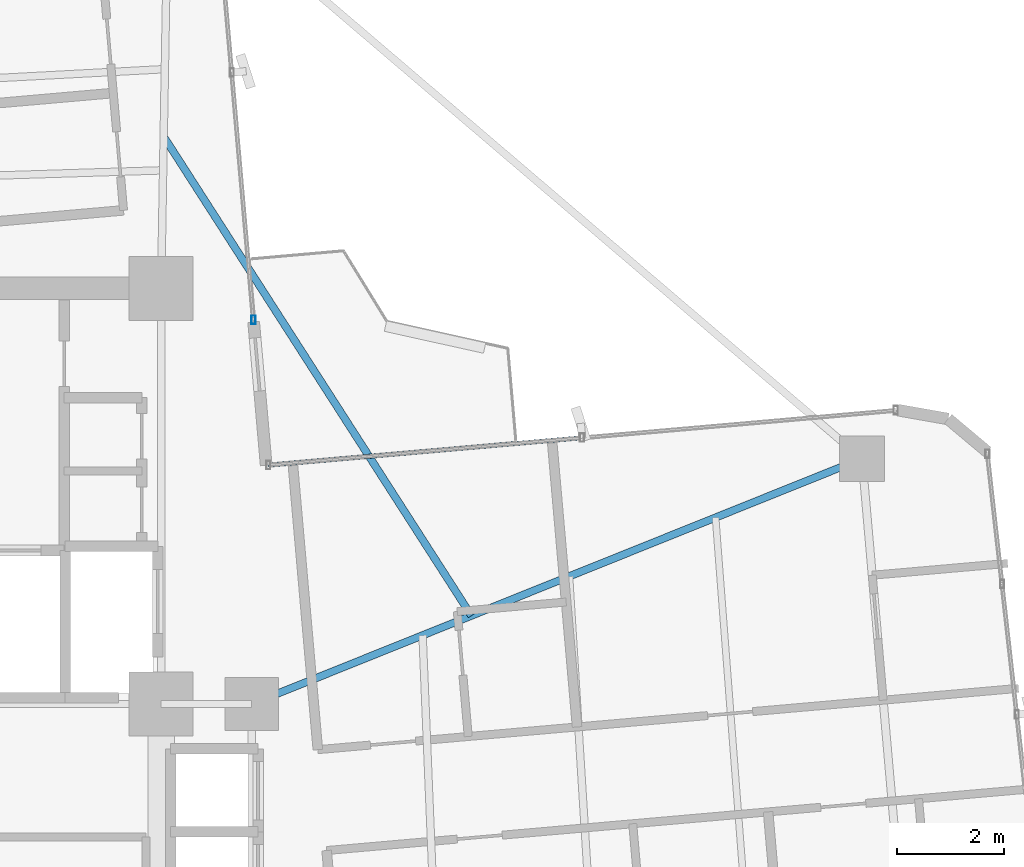
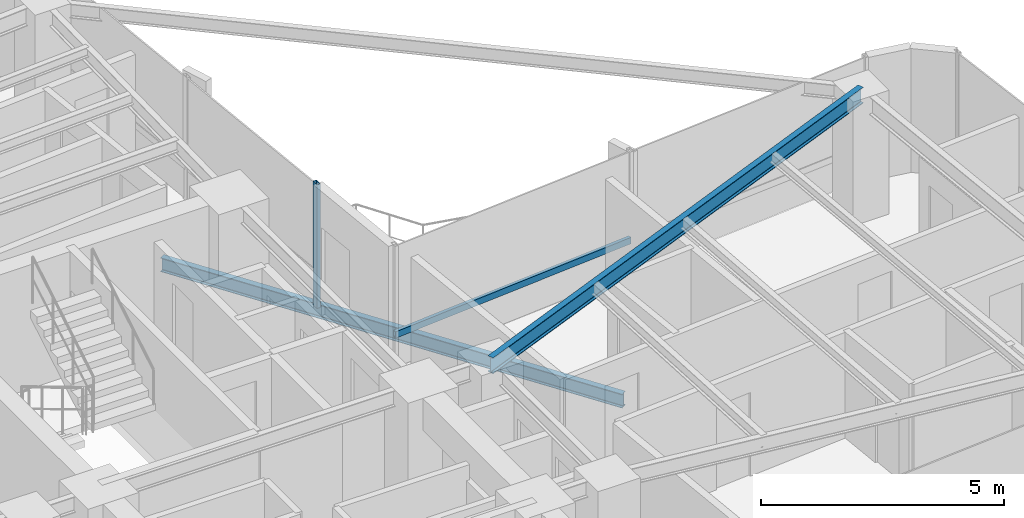
# One storey, part 12 of 24: 2 beams, 2 members, 2 elements without a shape of their own.
"""IFC4 building model written with IfcOpenShell, lengths in metres."""

from ifc_helpers import new_model, si_unit, direction, frame, origin, origin_2d, place, context, subcontext, project, spatial, hollow_rectangle, i_section, extrude, source, transform, mapped, material, material_profile, profile_set, type_object, element, aggregate, save


model = new_model("IFC4")

# Units and contexts
model_context = context("Model", 3, precision=1e-05, world=origin(), true_north=direction((0.0, 1.0)))
body_context = subcontext(model_context, "Body", "Model", "MODEL_VIEW")
ifc_project = project(units=[si_unit("LENGTHUNIT", "METRE"), si_unit("AREAUNIT", "SQUARE_METRE"), si_unit("VOLUMEUNIT", "CUBIC_METRE"), si_unit("PLANEANGLEUNIT", "RADIAN"), si_unit("MASSUNIT", "GRAM", prefix="KILO")], contexts=[model_context])

# Site, building, storey
site_placement = place(None, origin())
site = spatial("IfcSite", under=ifc_project, at=site_placement, CompositionType="ELEMENT")
building_placement = place(site_placement, origin())
building = spatial("IfcBuilding", under=site, at=building_placement, Name="Sahyath Konkavel Grand Hotel", CompositionType="ELEMENT")
storey_placement = place(building_placement, frame((0.0, 0.0, 164.0)))
storey = spatial("IfcBuildingStorey", under=building, at=storey_placement, Name="L45", CompositionType="ELEMENT", Elevation=164.0)

# Beam
ifc_material_1 = material(Name="Steel E350", Category="steel")
ifc_material_profile_1 = material_profile(ifc_material_1, i_section(OverallWidth=0.139892578125, OverallDepth=0.39990234375, WebThickness=0.0087890625, FlangeThickness=0.01611328125, FilletRadius=0.013916015625, at=origin_2d()), Name="ISMB 400")
ifc_profile_set_1 = profile_set([ifc_material_profile_1], Name="Steel E350")
beam_type_1 = type_object("IfcBeamType", Name="BM-ISMB400", PredefinedType="BEAM", material=ifc_profile_set_1)
shared_shape_1 = source(origin(), body_context, "Body", "SweptSolid", [
    extrude(i_section(OverallWidth=0.139892578125, OverallDepth=0.39990234375, WebThickness=0.0087890625, FlangeThickness=0.01611328125, FilletRadius=0.013916015625, at=origin_2d()), origin(), (0.0, 0.0, 1.0), 12.344970703125),
])
beam_1_placement = place(storey_placement, frame((5.5, 2.39990234375, 2.909912109375), z_axis=(0.927837014101, 0.372985891507, 0.0), x_axis=(-0.372985891507, 0.927837014101, 0.0)))
element("IfcBeam", 1, at=beam_1_placement, inside=storey, type_object=beam_type_1, Name="L45 Cruciform Radial Girder EB", PredefinedType="BEAM", context=body_context, shape_type="MappedRepresentation", body=[
    mapped(shared_shape_1, transform((0.0, 0.0, 0.0), scale=1.0)),
])

# Curtain wall, member
ifc_material_2 = material(Name="Anodised Bronze Aluminium & Low-E Glazing", Category="aluminium")
curtain_wall_type = type_object("IfcCurtainWallType", Name="CW-ZONE3", PredefinedType="NOTDEFINED", material=ifc_material_2)
curtain_wall_1_placement = place(storey_placement, origin())
curtain_wall_1 = element("IfcCurtainWall", 2, at=curtain_wall_1_placement, inside=storey, type_object=curtain_wall_type, Name="L45 Unitised Curtain Wall F8", PredefinedType="NOTDEFINED")
ifc_material_3 = material(Name="Anodised Bronze Aluminium", Category="aluminium")
ifc_material_profile_2 = material_profile(ifc_material_3, hollow_rectangle(XDim=0.080078125, YDim=0.159912109375, WallThickness=0.006103515625, at=origin_2d()), Name="RHS 160x80x6")
ifc_profile_set_2 = profile_set([ifc_material_profile_2], Name="Anodised Bronze Aluminium")
member_type_1 = type_object("IfcMemberType", Name="CW-MUL-160", PredefinedType="MULLION", material=ifc_profile_set_2)
shared_shape_2 = source(origin(), body_context, "Body", "SweptSolid", [
    extrude(hollow_rectangle(XDim=0.080078125, YDim=0.159912109375, WallThickness=0.006103515625, at=origin_2d()), origin(), (0.0, 0.0, 1.0), 3.110107421875),
])
member_1_placement = place(storey_placement, frame((5.53369140625, 9.60888671875, 0.0), z_axis=(0.0, 0.0, 1.0), x_axis=(1.0, 0.0, 0.0)))
member_1 = element("IfcMember", 3, at=member_1_placement, type_object=member_type_1, Name="L45 Curtain Wall Mullion F8-0", PredefinedType="MULLION", context=body_context, shape_type="MappedRepresentation", body=[
    mapped(shared_shape_2, transform((0.0, 0.0, 0.0), scale=1.0)),
])
aggregate(curtain_wall_1, [member_1])

curtain_wall_2_placement = place(storey_placement, origin())
curtain_wall_2 = element("IfcCurtainWall", 4, at=curtain_wall_2_placement, inside=storey, type_object=curtain_wall_type, Name="L45 Unitised Curtain Wall F7", PredefinedType="NOTDEFINED")
ifc_material_profile_3 = material_profile(ifc_material_3, hollow_rectangle(XDim=0.080078125, YDim=0.159912109375, WallThickness=0.006103515625, at=origin_2d()), Name="RHS 160x80x6")
ifc_profile_set_3 = profile_set([ifc_material_profile_3], Name="Anodised Bronze Aluminium")
member_type_2 = type_object("IfcMemberType", Name="CW-TRN-160", PredefinedType="USERDEFINED", material=ifc_profile_set_3)
shared_shape_3 = source(origin(), body_context, "Body", "SweptSolid", [
    extrude(hollow_rectangle(XDim=0.080078125, YDim=0.159912109375, WallThickness=0.006103515625, at=origin_2d()), origin(), (0.0, 0.0, 1.0), 5.909912109375),
])
member_2_placement = place(storey_placement, frame((11.69970703125, 7.39794921875, 0.85009765625), z_axis=(-0.996193941691, -0.087164388014, 0.0), x_axis=(0.087164388014, -0.996193941691, 0.0)))
member_2 = element("IfcMember", 5, at=member_2_placement, type_object=member_type_2, Name="L45 Curtain Wall Transom F7-1-spandrel", ObjectType="TRANSOM", PredefinedType="USERDEFINED", context=body_context, shape_type="MappedRepresentation", body=[
    mapped(shared_shape_3, transform((0.0, 0.0, 0.0), scale=1.0)),
])
aggregate(curtain_wall_2, [member_2])

# Beam
ifc_material_profile_4 = material_profile(ifc_material_1, i_section(OverallWidth=0.139892578125, OverallDepth=0.35009765625, WebThickness=0.008056640625, FlangeThickness=0.01416015625, FilletRadius=0.013916015625, at=origin_2d()), Name="ISMB 350")
ifc_profile_set_4 = profile_set([ifc_material_profile_4], Name="Steel E350")
beam_type_2 = type_object("IfcBeamType", Name="BM-BALC-CANT", PredefinedType="BEAM", material=ifc_profile_set_4)
shared_shape_4 = source(origin(), body_context, "Body", "SweptSolid", [
    extrude(i_section(OverallWidth=0.139892578125, OverallDepth=0.35009765625, WebThickness=0.008056640625, FlangeThickness=0.01416015625, FilletRadius=0.013916015625, at=origin_2d()), origin(), (0.0, 0.0, 1.0), 10.685302734375),
])
beam_2_placement = place(storey_placement, frame((9.62353515625, 4.0576171875, -0.4150390625), z_axis=(-0.540404181048, 0.841405562797, 0.0), x_axis=(-0.841405562797, -0.540404181048, 0.0)))
element("IfcBeam", 6, at=beam_2_placement, inside=storey, type_object=beam_type_2, Name="L45 Balcony Cantilever Support Beam NE", PredefinedType="BEAM", context=body_context, shape_type="MappedRepresentation", body=[
    mapped(shared_shape_4, transform((0.0, 0.0, 0.0), scale=1.0)),
])

save(model, "model.ifc")
